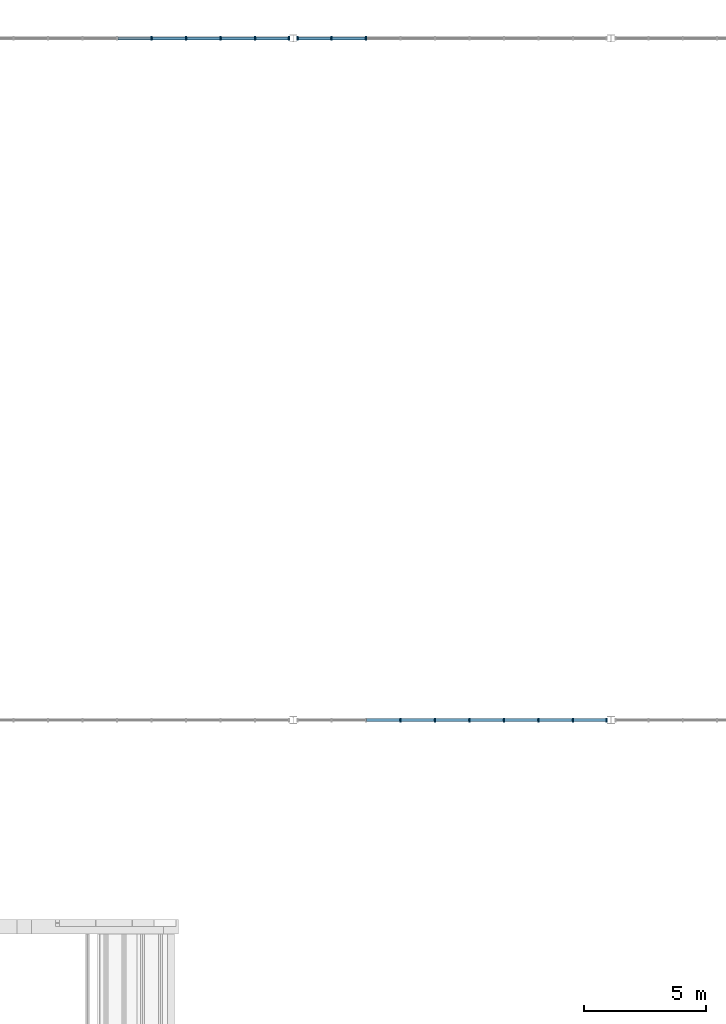
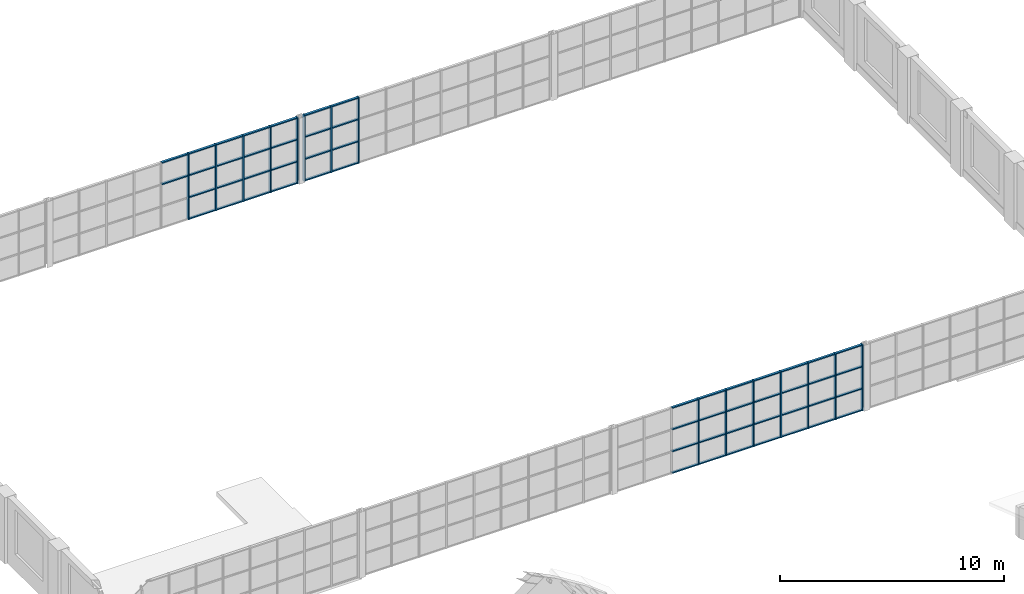
# One storey, part 10 of 70: 69 members, 3 elements without a shape of their own.
"""IFC4 building model written with IfcOpenShell, lengths in metres."""

from ifc_helpers import new_model, si_unit, direction, frame, origin, origin_2d, place, context, subcontext, project, spatial, rectangle, extrude, material, material_profile, profile_set, type_object, element, aggregate, save


model = new_model("IFC4")

# Units and contexts
model_context = context("Model", 3, precision=1e-05, world=origin(), true_north=direction((0.0, 1.0)))
body_context = subcontext(model_context, "Body", "Model", "MODEL_VIEW")
ifc_project = project(units=[si_unit("LENGTHUNIT", "METRE"), si_unit("AREAUNIT", "SQUARE_METRE"), si_unit("VOLUMEUNIT", "CUBIC_METRE"), si_unit("PLANEANGLEUNIT", "RADIAN"), si_unit("MASSUNIT", "GRAM", prefix="KILO")], contexts=[model_context])

# Site, building, storey
site_placement = place(None, origin())
site = spatial("IfcSite", under=ifc_project, at=site_placement, CompositionType="ELEMENT")
building_placement = place(site_placement, origin())
building = spatial("IfcBuilding", under=site, at=building_placement, Name="Elbe Cascade School", CompositionType="ELEMENT")
storey_placement = place(building_placement, frame((0.0, 0.0, 8.10009765625)))
storey = spatial("IfcBuildingStorey", under=building, at=storey_placement, Name="L02", CompositionType="ELEMENT", Elevation=8.10009765625)

# Curtain wall, members
ifc_material_1 = material(Name="Glass - double glazed low-E", Category="glass")
curtain_wall_type = type_object("IfcCurtainWallType", Name="Hall gable curtain wall", PredefinedType="NOTDEFINED", material=ifc_material_1)
curtain_wall_1_placement = place(storey_placement, origin())
curtain_wall_1 = element("IfcCurtainWall", 1, at=curtain_wall_1_placement, inside=storey, type_object=curtain_wall_type, Name="Gable curtain wall S3", PredefinedType="NOTDEFINED")
ifc_material_2 = material(Name="Aluminium - bronze anodised", Category="aluminium")
ifc_material_profile_1 = material_profile(ifc_material_2, rectangle(XDim=0.159912109375, YDim=0.06005859375, at=origin_2d()), Name="Alu 60x160")
ifc_profile_set_1 = profile_set([ifc_material_profile_1], Name="Aluminium - bronze anodised")
member_type_1 = type_object("IfcMemberType", Name="Hall gable mullion 60x160", PredefinedType="MULLION", material=ifc_profile_set_1)
member_1_placement = place(storey_placement, frame((38.38330078125, 41.300048828125, 0.0), z_axis=(0.0, 0.0, 1.0), x_axis=(0.0, 1.0, 0.0)))
member_1 = element("IfcMember", 2, at=member_1_placement, type_object=member_type_1, Name="CW6 mullion 4", PredefinedType="MULLION", context=body_context, shape_type="SweptSolid", body=[
    extrude(rectangle(XDim=0.159912109375, YDim=0.06005859375, at=origin_2d()), origin(), (0.0, 0.0, 1.0), 3.599853515625),
])
member_2_placement = place(storey_placement, frame((39.79443359375, 41.300048828125, 0.0), z_axis=(0.0, 0.0, 1.0), x_axis=(0.0, 1.0, 0.0)))
member_2 = element("IfcMember", 3, at=member_2_placement, type_object=member_type_1, Name="CW6 mullion 5", PredefinedType="MULLION", context=body_context, shape_type="SweptSolid", body=[
    extrude(rectangle(XDim=0.159912109375, YDim=0.06005859375, at=origin_2d()), origin(), (0.0, 0.0, 1.0), 3.599853515625),
])
member_3_placement = place(storey_placement, frame((41.20556640625, 41.300048828125, 0.0), z_axis=(0.0, 0.0, 1.0), x_axis=(0.0, 1.0, 0.0)))
member_3 = element("IfcMember", 4, at=member_3_placement, type_object=member_type_1, Name="CW6 mullion 6", PredefinedType="MULLION", context=body_context, shape_type="SweptSolid", body=[
    extrude(rectangle(XDim=0.159912109375, YDim=0.06005859375, at=origin_2d()), origin(), (0.0, 0.0, 1.0), 3.599853515625),
])
member_4_placement = place(storey_placement, frame((42.61669921875, 41.300048828125, 0.0), z_axis=(0.0, 0.0, 1.0), x_axis=(0.0, 1.0, 0.0)))
member_4 = element("IfcMember", 5, at=member_4_placement, type_object=member_type_1, Name="CW6 mullion 7", PredefinedType="MULLION", context=body_context, shape_type="SweptSolid", body=[
    extrude(rectangle(XDim=0.159912109375, YDim=0.06005859375, at=origin_2d()), origin(), (0.0, 0.0, 1.0), 3.599853515625),
])
member_5_placement = place(storey_placement, frame((44.02783203125, 41.300048828125, 0.0), z_axis=(0.0, 0.0, 1.0), x_axis=(0.0, 1.0, 0.0)))
member_5 = element("IfcMember", 6, at=member_5_placement, type_object=member_type_1, Name="CW6 mullion 8", PredefinedType="MULLION", context=body_context, shape_type="SweptSolid", body=[
    extrude(rectangle(XDim=0.159912109375, YDim=0.06005859375, at=origin_2d()), origin(), (0.0, 0.0, 1.0), 3.599853515625),
])
member_6_placement = place(storey_placement, frame((45.43896484375, 41.300048828125, 0.0), z_axis=(0.0, 0.0, 1.0), x_axis=(0.0, 1.0, 0.0)))
member_6 = element("IfcMember", 7, at=member_6_placement, type_object=member_type_1, Name="CW6 mullion 9", PredefinedType="MULLION", context=body_context, shape_type="SweptSolid", body=[
    extrude(rectangle(XDim=0.159912109375, YDim=0.06005859375, at=origin_2d()), origin(), (0.0, 0.0, 1.0), 3.599853515625),
])
member_7_placement = place(storey_placement, frame((46.820068359375, 41.300048828125, 0.0), z_axis=(0.0, 0.0, 1.0), x_axis=(0.0, 1.0, 0.0)))
member_7 = element("IfcMember", 8, at=member_7_placement, type_object=member_type_1, Name="CW6 mullion 10", PredefinedType="MULLION", context=body_context, shape_type="SweptSolid", body=[
    extrude(rectangle(XDim=0.159912109375, YDim=0.06005859375, at=origin_2d()), origin(), (0.0, 0.0, 1.0), 3.599853515625),
])

curtain_wall_2_placement = place(storey_placement, origin())
curtain_wall_2 = element("IfcCurtainWall", 9, at=curtain_wall_2_placement, inside=storey, type_object=curtain_wall_type, Name="Gable curtain wall N2", PredefinedType="NOTDEFINED")
member_8_placement = place(storey_placement, frame((28.20556640625, 69.199951171875, 0.0), z_axis=(0.0, 0.0, 1.0), x_axis=(0.0, 1.0, 0.0)))
member_8 = element("IfcMember", 10, at=member_8_placement, type_object=member_type_1, Name="CW6 mullion 6", PredefinedType="MULLION", context=body_context, shape_type="SweptSolid", body=[
    extrude(rectangle(XDim=0.159912109375, YDim=0.06005859375, at=origin_2d()), origin(), (0.0, 0.0, 1.0), 3.599853515625),
])
member_9_placement = place(storey_placement, frame((29.61669921875, 69.199951171875, 0.0), z_axis=(0.0, 0.0, 1.0), x_axis=(0.0, 1.0, 0.0)))
member_9 = element("IfcMember", 11, at=member_9_placement, type_object=member_type_1, Name="CW6 mullion 7", PredefinedType="MULLION", context=body_context, shape_type="SweptSolid", body=[
    extrude(rectangle(XDim=0.159912109375, YDim=0.06005859375, at=origin_2d()), origin(), (0.0, 0.0, 1.0), 3.599853515625),
])
member_10_placement = place(storey_placement, frame((31.02783203125, 69.199951171875, 0.0), z_axis=(0.0, 0.0, 1.0), x_axis=(0.0, 1.0, 0.0)))
member_10 = element("IfcMember", 12, at=member_10_placement, type_object=member_type_1, Name="CW6 mullion 8", PredefinedType="MULLION", context=body_context, shape_type="SweptSolid", body=[
    extrude(rectangle(XDim=0.159912109375, YDim=0.06005859375, at=origin_2d()), origin(), (0.0, 0.0, 1.0), 3.599853515625),
])
member_11_placement = place(storey_placement, frame((32.43896484375, 69.199951171875, 0.0), z_axis=(0.0, 0.0, 1.0), x_axis=(0.0, 1.0, 0.0)))
member_11 = element("IfcMember", 13, at=member_11_placement, type_object=member_type_1, Name="CW6 mullion 9", PredefinedType="MULLION", context=body_context, shape_type="SweptSolid", body=[
    extrude(rectangle(XDim=0.159912109375, YDim=0.06005859375, at=origin_2d()), origin(), (0.0, 0.0, 1.0), 3.599853515625),
])
member_12_placement = place(storey_placement, frame((33.820068359375, 69.199951171875, 0.0), z_axis=(0.0, 0.0, 1.0), x_axis=(0.0, 1.0, 0.0)))
member_12 = element("IfcMember", 14, at=member_12_placement, type_object=member_type_1, Name="CW6 mullion 10", PredefinedType="MULLION", context=body_context, shape_type="SweptSolid", body=[
    extrude(rectangle(XDim=0.159912109375, YDim=0.06005859375, at=origin_2d()), origin(), (0.0, 0.0, 1.0), 3.599853515625),
])

curtain_wall_3_placement = place(storey_placement, origin())
curtain_wall_3 = element("IfcCurtainWall", 15, at=curtain_wall_3_placement, inside=storey, type_object=curtain_wall_type, Name="Gable curtain wall N3", PredefinedType="NOTDEFINED")
member_13_placement = place(storey_placement, frame((34.179931640625, 69.199951171875, 0.0), z_axis=(0.0, 0.0, 1.0), x_axis=(0.0, 1.0, 0.0)))
member_13 = element("IfcMember", 16, at=member_13_placement, type_object=member_type_1, Name="CW6 mullion 1", PredefinedType="MULLION", context=body_context, shape_type="SweptSolid", body=[
    extrude(rectangle(XDim=0.159912109375, YDim=0.06005859375, at=origin_2d()), origin(), (0.0, 0.0, 1.0), 3.599853515625),
])
member_14_placement = place(storey_placement, frame((35.56103515625, 69.199951171875, 0.0), z_axis=(0.0, 0.0, 1.0), x_axis=(0.0, 1.0, 0.0)))
member_14 = element("IfcMember", 17, at=member_14_placement, type_object=member_type_1, Name="CW6 mullion 2", PredefinedType="MULLION", context=body_context, shape_type="SweptSolid", body=[
    extrude(rectangle(XDim=0.159912109375, YDim=0.06005859375, at=origin_2d()), origin(), (0.0, 0.0, 1.0), 3.599853515625),
])
member_15_placement = place(storey_placement, frame((36.97216796875, 69.199951171875, 0.0), z_axis=(0.0, 0.0, 1.0), x_axis=(0.0, 1.0, 0.0)))
member_15 = element("IfcMember", 18, at=member_15_placement, type_object=member_type_1, Name="CW6 mullion 3", PredefinedType="MULLION", context=body_context, shape_type="SweptSolid", body=[
    extrude(rectangle(XDim=0.159912109375, YDim=0.06005859375, at=origin_2d()), origin(), (0.0, 0.0, 1.0), 3.599853515625),
])

# Member
ifc_material_3 = material(Name="Aluminium - bronze anodised", Category="aluminium")
ifc_material_profile_2 = material_profile(ifc_material_3, rectangle(XDim=0.1201171875, YDim=0.06005859375, at=origin_2d()), Name="Alu 60x120")
ifc_profile_set_2 = profile_set([ifc_material_profile_2], Name="Aluminium - bronze anodised")
member_type_2 = type_object("IfcMemberType", Name="Hall gable transom 60x120", PredefinedType="USERDEFINED", material=ifc_profile_set_2)
member_16_placement = place(storey_placement, frame((37.002197265625, 41.300048828125, 0.02978515625), z_axis=(1.0, 0.0, 0.0), x_axis=(0.0, 1.0, 0.0)))
member_16 = element("IfcMember", 19, at=member_16_placement, type_object=member_type_2, Name="CW6 transom 3.1", ObjectType="TRANSOM", PredefinedType="USERDEFINED", context=body_context, shape_type="SweptSolid", body=[
    extrude(rectangle(XDim=0.1201171875, YDim=0.06005859375, at=origin_2d()), origin(), (0.0, 0.0, 1.0), 1.35107421875),
])

member_17_placement = place(storey_placement, frame((37.002197265625, 41.300048828125, 1.199951171875), z_axis=(1.0, 0.0, 0.0), x_axis=(0.0, 1.0, 0.0)))
member_17 = element("IfcMember", 20, at=member_17_placement, type_object=member_type_2, Name="CW6 transom 3.2", ObjectType="TRANSOM", PredefinedType="USERDEFINED", context=body_context, shape_type="SweptSolid", body=[
    extrude(rectangle(XDim=0.1201171875, YDim=0.06005859375, at=origin_2d()), origin(), (0.0, 0.0, 1.0), 1.35107421875),
])

member_18_placement = place(storey_placement, frame((37.002197265625, 41.300048828125, 2.39990234375), z_axis=(1.0, 0.0, 0.0), x_axis=(0.0, 1.0, 0.0)))
member_18 = element("IfcMember", 21, at=member_18_placement, type_object=member_type_2, Name="CW6 transom 3.3", ObjectType="TRANSOM", PredefinedType="USERDEFINED", context=body_context, shape_type="SweptSolid", body=[
    extrude(rectangle(XDim=0.1201171875, YDim=0.06005859375, at=origin_2d()), origin(), (0.0, 0.0, 1.0), 1.35107421875),
])

member_19_placement = place(storey_placement, frame((37.002197265625, 41.300048828125, 3.56982421875), z_axis=(1.0, 0.0, 0.0), x_axis=(0.0, 1.0, 0.0)))
member_19 = element("IfcMember", 22, at=member_19_placement, type_object=member_type_2, Name="CW6 transom 3.4", ObjectType="TRANSOM", PredefinedType="USERDEFINED", context=body_context, shape_type="SweptSolid", body=[
    extrude(rectangle(XDim=0.1201171875, YDim=0.06005859375, at=origin_2d()), origin(), (0.0, 0.0, 1.0), 1.35107421875),
])

member_20_placement = place(storey_placement, frame((38.413330078125, 41.300048828125, 0.02978515625), z_axis=(1.0, 0.0, 0.0), x_axis=(0.0, 1.0, 0.0)))
member_20 = element("IfcMember", 23, at=member_20_placement, type_object=member_type_2, Name="CW6 transom 4.1", ObjectType="TRANSOM", PredefinedType="USERDEFINED", context=body_context, shape_type="SweptSolid", body=[
    extrude(rectangle(XDim=0.1201171875, YDim=0.06005859375, at=origin_2d()), origin(), (0.0, 0.0, 1.0), 1.35107421875),
])

member_21_placement = place(storey_placement, frame((38.413330078125, 41.300048828125, 1.199951171875), z_axis=(1.0, 0.0, 0.0), x_axis=(0.0, 1.0, 0.0)))
member_21 = element("IfcMember", 24, at=member_21_placement, type_object=member_type_2, Name="CW6 transom 4.2", ObjectType="TRANSOM", PredefinedType="USERDEFINED", context=body_context, shape_type="SweptSolid", body=[
    extrude(rectangle(XDim=0.1201171875, YDim=0.06005859375, at=origin_2d()), origin(), (0.0, 0.0, 1.0), 1.35107421875),
])

member_22_placement = place(storey_placement, frame((38.413330078125, 41.300048828125, 2.39990234375), z_axis=(1.0, 0.0, 0.0), x_axis=(0.0, 1.0, 0.0)))
member_22 = element("IfcMember", 25, at=member_22_placement, type_object=member_type_2, Name="CW6 transom 4.3", ObjectType="TRANSOM", PredefinedType="USERDEFINED", context=body_context, shape_type="SweptSolid", body=[
    extrude(rectangle(XDim=0.1201171875, YDim=0.06005859375, at=origin_2d()), origin(), (0.0, 0.0, 1.0), 1.35107421875),
])

member_23_placement = place(storey_placement, frame((38.413330078125, 41.300048828125, 3.56982421875), z_axis=(1.0, 0.0, 0.0), x_axis=(0.0, 1.0, 0.0)))
member_23 = element("IfcMember", 26, at=member_23_placement, type_object=member_type_2, Name="CW6 transom 4.4", ObjectType="TRANSOM", PredefinedType="USERDEFINED", context=body_context, shape_type="SweptSolid", body=[
    extrude(rectangle(XDim=0.1201171875, YDim=0.06005859375, at=origin_2d()), origin(), (0.0, 0.0, 1.0), 1.35107421875),
])

member_24_placement = place(storey_placement, frame((39.824462890625, 41.300048828125, 0.02978515625), z_axis=(1.0, 0.0, 0.0), x_axis=(0.0, 1.0, 0.0)))
member_24 = element("IfcMember", 27, at=member_24_placement, type_object=member_type_2, Name="CW6 transom 5.1", ObjectType="TRANSOM", PredefinedType="USERDEFINED", context=body_context, shape_type="SweptSolid", body=[
    extrude(rectangle(XDim=0.1201171875, YDim=0.06005859375, at=origin_2d()), origin(), (0.0, 0.0, 1.0), 1.35107421875),
])

member_25_placement = place(storey_placement, frame((39.824462890625, 41.300048828125, 1.199951171875), z_axis=(1.0, 0.0, 0.0), x_axis=(0.0, 1.0, 0.0)))
member_25 = element("IfcMember", 28, at=member_25_placement, type_object=member_type_2, Name="CW6 transom 5.2", ObjectType="TRANSOM", PredefinedType="USERDEFINED", context=body_context, shape_type="SweptSolid", body=[
    extrude(rectangle(XDim=0.1201171875, YDim=0.06005859375, at=origin_2d()), origin(), (0.0, 0.0, 1.0), 1.35107421875),
])

member_26_placement = place(storey_placement, frame((39.824462890625, 41.300048828125, 2.39990234375), z_axis=(1.0, 0.0, 0.0), x_axis=(0.0, 1.0, 0.0)))
member_26 = element("IfcMember", 29, at=member_26_placement, type_object=member_type_2, Name="CW6 transom 5.3", ObjectType="TRANSOM", PredefinedType="USERDEFINED", context=body_context, shape_type="SweptSolid", body=[
    extrude(rectangle(XDim=0.1201171875, YDim=0.06005859375, at=origin_2d()), origin(), (0.0, 0.0, 1.0), 1.35107421875),
])

member_27_placement = place(storey_placement, frame((39.824462890625, 41.300048828125, 3.56982421875), z_axis=(1.0, 0.0, 0.0), x_axis=(0.0, 1.0, 0.0)))
member_27 = element("IfcMember", 30, at=member_27_placement, type_object=member_type_2, Name="CW6 transom 5.4", ObjectType="TRANSOM", PredefinedType="USERDEFINED", context=body_context, shape_type="SweptSolid", body=[
    extrude(rectangle(XDim=0.1201171875, YDim=0.06005859375, at=origin_2d()), origin(), (0.0, 0.0, 1.0), 1.35107421875),
])

member_28_placement = place(storey_placement, frame((41.235595703125, 41.300048828125, 0.02978515625), z_axis=(1.0, 0.0, 0.0), x_axis=(0.0, 1.0, 0.0)))
member_28 = element("IfcMember", 31, at=member_28_placement, type_object=member_type_2, Name="CW6 transom 6.1", ObjectType="TRANSOM", PredefinedType="USERDEFINED", context=body_context, shape_type="SweptSolid", body=[
    extrude(rectangle(XDim=0.1201171875, YDim=0.06005859375, at=origin_2d()), origin(), (0.0, 0.0, 1.0), 1.35107421875),
])

member_29_placement = place(storey_placement, frame((41.235595703125, 41.300048828125, 1.199951171875), z_axis=(1.0, 0.0, 0.0), x_axis=(0.0, 1.0, 0.0)))
member_29 = element("IfcMember", 32, at=member_29_placement, type_object=member_type_2, Name="CW6 transom 6.2", ObjectType="TRANSOM", PredefinedType="USERDEFINED", context=body_context, shape_type="SweptSolid", body=[
    extrude(rectangle(XDim=0.1201171875, YDim=0.06005859375, at=origin_2d()), origin(), (0.0, 0.0, 1.0), 1.35107421875),
])

member_30_placement = place(storey_placement, frame((41.235595703125, 41.300048828125, 2.39990234375), z_axis=(1.0, 0.0, 0.0), x_axis=(0.0, 1.0, 0.0)))
member_30 = element("IfcMember", 33, at=member_30_placement, type_object=member_type_2, Name="CW6 transom 6.3", ObjectType="TRANSOM", PredefinedType="USERDEFINED", context=body_context, shape_type="SweptSolid", body=[
    extrude(rectangle(XDim=0.1201171875, YDim=0.06005859375, at=origin_2d()), origin(), (0.0, 0.0, 1.0), 1.35107421875),
])

member_31_placement = place(storey_placement, frame((41.235595703125, 41.300048828125, 3.56982421875), z_axis=(1.0, 0.0, 0.0), x_axis=(0.0, 1.0, 0.0)))
member_31 = element("IfcMember", 34, at=member_31_placement, type_object=member_type_2, Name="CW6 transom 6.4", ObjectType="TRANSOM", PredefinedType="USERDEFINED", context=body_context, shape_type="SweptSolid", body=[
    extrude(rectangle(XDim=0.1201171875, YDim=0.06005859375, at=origin_2d()), origin(), (0.0, 0.0, 1.0), 1.35107421875),
])

member_32_placement = place(storey_placement, frame((42.646728515625, 41.300048828125, 0.02978515625), z_axis=(1.0, 0.0, 0.0), x_axis=(0.0, 1.0, 0.0)))
member_32 = element("IfcMember", 35, at=member_32_placement, type_object=member_type_2, Name="CW6 transom 7.1", ObjectType="TRANSOM", PredefinedType="USERDEFINED", context=body_context, shape_type="SweptSolid", body=[
    extrude(rectangle(XDim=0.1201171875, YDim=0.06005859375, at=origin_2d()), origin(), (0.0, 0.0, 1.0), 1.35107421875),
])

member_33_placement = place(storey_placement, frame((42.646728515625, 41.300048828125, 1.199951171875), z_axis=(1.0, 0.0, 0.0), x_axis=(0.0, 1.0, 0.0)))
member_33 = element("IfcMember", 36, at=member_33_placement, type_object=member_type_2, Name="CW6 transom 7.2", ObjectType="TRANSOM", PredefinedType="USERDEFINED", context=body_context, shape_type="SweptSolid", body=[
    extrude(rectangle(XDim=0.1201171875, YDim=0.06005859375, at=origin_2d()), origin(), (0.0, 0.0, 1.0), 1.35107421875),
])

member_34_placement = place(storey_placement, frame((42.646728515625, 41.300048828125, 2.39990234375), z_axis=(1.0, 0.0, 0.0), x_axis=(0.0, 1.0, 0.0)))
member_34 = element("IfcMember", 37, at=member_34_placement, type_object=member_type_2, Name="CW6 transom 7.3", ObjectType="TRANSOM", PredefinedType="USERDEFINED", context=body_context, shape_type="SweptSolid", body=[
    extrude(rectangle(XDim=0.1201171875, YDim=0.06005859375, at=origin_2d()), origin(), (0.0, 0.0, 1.0), 1.35107421875),
])

member_35_placement = place(storey_placement, frame((42.646728515625, 41.300048828125, 3.56982421875), z_axis=(1.0, 0.0, 0.0), x_axis=(0.0, 1.0, 0.0)))
member_35 = element("IfcMember", 38, at=member_35_placement, type_object=member_type_2, Name="CW6 transom 7.4", ObjectType="TRANSOM", PredefinedType="USERDEFINED", context=body_context, shape_type="SweptSolid", body=[
    extrude(rectangle(XDim=0.1201171875, YDim=0.06005859375, at=origin_2d()), origin(), (0.0, 0.0, 1.0), 1.35107421875),
])

member_36_placement = place(storey_placement, frame((44.057861328125, 41.300048828125, 0.02978515625), z_axis=(1.0, 0.0, 0.0), x_axis=(0.0, 1.0, 0.0)))
member_36 = element("IfcMember", 39, at=member_36_placement, type_object=member_type_2, Name="CW6 transom 8.1", ObjectType="TRANSOM", PredefinedType="USERDEFINED", context=body_context, shape_type="SweptSolid", body=[
    extrude(rectangle(XDim=0.1201171875, YDim=0.06005859375, at=origin_2d()), origin(), (0.0, 0.0, 1.0), 1.35107421875),
])

member_37_placement = place(storey_placement, frame((44.057861328125, 41.300048828125, 1.199951171875), z_axis=(1.0, 0.0, 0.0), x_axis=(0.0, 1.0, 0.0)))
member_37 = element("IfcMember", 40, at=member_37_placement, type_object=member_type_2, Name="CW6 transom 8.2", ObjectType="TRANSOM", PredefinedType="USERDEFINED", context=body_context, shape_type="SweptSolid", body=[
    extrude(rectangle(XDim=0.1201171875, YDim=0.06005859375, at=origin_2d()), origin(), (0.0, 0.0, 1.0), 1.35107421875),
])

member_38_placement = place(storey_placement, frame((44.057861328125, 41.300048828125, 2.39990234375), z_axis=(1.0, 0.0, 0.0), x_axis=(0.0, 1.0, 0.0)))
member_38 = element("IfcMember", 41, at=member_38_placement, type_object=member_type_2, Name="CW6 transom 8.3", ObjectType="TRANSOM", PredefinedType="USERDEFINED", context=body_context, shape_type="SweptSolid", body=[
    extrude(rectangle(XDim=0.1201171875, YDim=0.06005859375, at=origin_2d()), origin(), (0.0, 0.0, 1.0), 1.35107421875),
])

member_39_placement = place(storey_placement, frame((44.057861328125, 41.300048828125, 3.56982421875), z_axis=(1.0, 0.0, 0.0), x_axis=(0.0, 1.0, 0.0)))
member_39 = element("IfcMember", 42, at=member_39_placement, type_object=member_type_2, Name="CW6 transom 8.4", ObjectType="TRANSOM", PredefinedType="USERDEFINED", context=body_context, shape_type="SweptSolid", body=[
    extrude(rectangle(XDim=0.1201171875, YDim=0.06005859375, at=origin_2d()), origin(), (0.0, 0.0, 1.0), 1.35107421875),
])

member_40_placement = place(storey_placement, frame((45.468994140625, 41.300048828125, 0.02978515625), z_axis=(1.0, 0.0, 0.0), x_axis=(0.0, 1.0, 0.0)))
member_40 = element("IfcMember", 43, at=member_40_placement, type_object=member_type_2, Name="CW6 transom 9.1", ObjectType="TRANSOM", PredefinedType="USERDEFINED", context=body_context, shape_type="SweptSolid", body=[
    extrude(rectangle(XDim=0.1201171875, YDim=0.06005859375, at=origin_2d()), origin(), (0.0, 0.0, 1.0), 1.321044921875),
])

member_41_placement = place(storey_placement, frame((45.468994140625, 41.300048828125, 1.199951171875), z_axis=(1.0, 0.0, 0.0), x_axis=(0.0, 1.0, 0.0)))
member_41 = element("IfcMember", 44, at=member_41_placement, type_object=member_type_2, Name="CW6 transom 9.2", ObjectType="TRANSOM", PredefinedType="USERDEFINED", context=body_context, shape_type="SweptSolid", body=[
    extrude(rectangle(XDim=0.1201171875, YDim=0.06005859375, at=origin_2d()), origin(), (0.0, 0.0, 1.0), 1.321044921875),
])

member_42_placement = place(storey_placement, frame((45.468994140625, 41.300048828125, 2.39990234375), z_axis=(1.0, 0.0, 0.0), x_axis=(0.0, 1.0, 0.0)))
member_42 = element("IfcMember", 45, at=member_42_placement, type_object=member_type_2, Name="CW6 transom 9.3", ObjectType="TRANSOM", PredefinedType="USERDEFINED", context=body_context, shape_type="SweptSolid", body=[
    extrude(rectangle(XDim=0.1201171875, YDim=0.06005859375, at=origin_2d()), origin(), (0.0, 0.0, 1.0), 1.321044921875),
])

member_43_placement = place(storey_placement, frame((45.468994140625, 41.300048828125, 3.56982421875), z_axis=(1.0, 0.0, 0.0), x_axis=(0.0, 1.0, 0.0)))
member_43 = element("IfcMember", 46, at=member_43_placement, type_object=member_type_2, Name="CW6 transom 9.4", ObjectType="TRANSOM", PredefinedType="USERDEFINED", context=body_context, shape_type="SweptSolid", body=[
    extrude(rectangle(XDim=0.1201171875, YDim=0.06005859375, at=origin_2d()), origin(), (0.0, 0.0, 1.0), 1.321044921875),
])

aggregate(curtain_wall_1, [member_1, member_2, member_3, member_4, member_5, member_6, member_7, member_16, member_17, member_18, member_19, member_20, member_21, member_22, member_23, member_24, member_25, member_26, member_27, member_28, member_29, member_30, member_31, member_32, member_33, member_34, member_35, member_36, member_37, member_38, member_39, member_40, member_41, member_42, member_43])

member_44_placement = place(storey_placement, frame((26.824462890625, 69.199951171875, 2.39990234375), z_axis=(1.0, 0.0, 0.0), x_axis=(0.0, 1.0, 0.0)))
member_44 = element("IfcMember", 47, at=member_44_placement, type_object=member_type_2, Name="CW6 transom 5.3", ObjectType="TRANSOM", PredefinedType="USERDEFINED", context=body_context, shape_type="SweptSolid", body=[
    extrude(rectangle(XDim=0.1201171875, YDim=0.06005859375, at=origin_2d()), origin(), (0.0, 0.0, 1.0), 1.35107421875),
])

member_45_placement = place(storey_placement, frame((26.824462890625, 69.199951171875, 3.56982421875), z_axis=(1.0, 0.0, 0.0), x_axis=(0.0, 1.0, 0.0)))
member_45 = element("IfcMember", 48, at=member_45_placement, type_object=member_type_2, Name="CW6 transom 5.4", ObjectType="TRANSOM", PredefinedType="USERDEFINED", context=body_context, shape_type="SweptSolid", body=[
    extrude(rectangle(XDim=0.1201171875, YDim=0.06005859375, at=origin_2d()), origin(), (0.0, 0.0, 1.0), 1.35107421875),
])

member_46_placement = place(storey_placement, frame((28.235595703125, 69.199951171875, 0.02978515625), z_axis=(1.0, 0.0, 0.0), x_axis=(0.0, 1.0, 0.0)))
member_46 = element("IfcMember", 49, at=member_46_placement, type_object=member_type_2, Name="CW6 transom 6.1", ObjectType="TRANSOM", PredefinedType="USERDEFINED", context=body_context, shape_type="SweptSolid", body=[
    extrude(rectangle(XDim=0.1201171875, YDim=0.06005859375, at=origin_2d()), origin(), (0.0, 0.0, 1.0), 1.35107421875),
])

member_47_placement = place(storey_placement, frame((28.235595703125, 69.199951171875, 1.199951171875), z_axis=(1.0, 0.0, 0.0), x_axis=(0.0, 1.0, 0.0)))
member_47 = element("IfcMember", 50, at=member_47_placement, type_object=member_type_2, Name="CW6 transom 6.2", ObjectType="TRANSOM", PredefinedType="USERDEFINED", context=body_context, shape_type="SweptSolid", body=[
    extrude(rectangle(XDim=0.1201171875, YDim=0.06005859375, at=origin_2d()), origin(), (0.0, 0.0, 1.0), 1.35107421875),
])

member_48_placement = place(storey_placement, frame((28.235595703125, 69.199951171875, 2.39990234375), z_axis=(1.0, 0.0, 0.0), x_axis=(0.0, 1.0, 0.0)))
member_48 = element("IfcMember", 51, at=member_48_placement, type_object=member_type_2, Name="CW6 transom 6.3", ObjectType="TRANSOM", PredefinedType="USERDEFINED", context=body_context, shape_type="SweptSolid", body=[
    extrude(rectangle(XDim=0.1201171875, YDim=0.06005859375, at=origin_2d()), origin(), (0.0, 0.0, 1.0), 1.35107421875),
])

member_49_placement = place(storey_placement, frame((28.235595703125, 69.199951171875, 3.56982421875), z_axis=(1.0, 0.0, 0.0), x_axis=(0.0, 1.0, 0.0)))
member_49 = element("IfcMember", 52, at=member_49_placement, type_object=member_type_2, Name="CW6 transom 6.4", ObjectType="TRANSOM", PredefinedType="USERDEFINED", context=body_context, shape_type="SweptSolid", body=[
    extrude(rectangle(XDim=0.1201171875, YDim=0.06005859375, at=origin_2d()), origin(), (0.0, 0.0, 1.0), 1.35107421875),
])

member_50_placement = place(storey_placement, frame((29.646728515625, 69.199951171875, 0.02978515625), z_axis=(1.0, 0.0, 0.0), x_axis=(0.0, 1.0, 0.0)))
member_50 = element("IfcMember", 53, at=member_50_placement, type_object=member_type_2, Name="CW6 transom 7.1", ObjectType="TRANSOM", PredefinedType="USERDEFINED", context=body_context, shape_type="SweptSolid", body=[
    extrude(rectangle(XDim=0.1201171875, YDim=0.06005859375, at=origin_2d()), origin(), (0.0, 0.0, 1.0), 1.35107421875),
])

member_51_placement = place(storey_placement, frame((29.646728515625, 69.199951171875, 1.199951171875), z_axis=(1.0, 0.0, 0.0), x_axis=(0.0, 1.0, 0.0)))
member_51 = element("IfcMember", 54, at=member_51_placement, type_object=member_type_2, Name="CW6 transom 7.2", ObjectType="TRANSOM", PredefinedType="USERDEFINED", context=body_context, shape_type="SweptSolid", body=[
    extrude(rectangle(XDim=0.1201171875, YDim=0.06005859375, at=origin_2d()), origin(), (0.0, 0.0, 1.0), 1.35107421875),
])

member_52_placement = place(storey_placement, frame((29.646728515625, 69.199951171875, 2.39990234375), z_axis=(1.0, 0.0, 0.0), x_axis=(0.0, 1.0, 0.0)))
member_52 = element("IfcMember", 55, at=member_52_placement, type_object=member_type_2, Name="CW6 transom 7.3", ObjectType="TRANSOM", PredefinedType="USERDEFINED", context=body_context, shape_type="SweptSolid", body=[
    extrude(rectangle(XDim=0.1201171875, YDim=0.06005859375, at=origin_2d()), origin(), (0.0, 0.0, 1.0), 1.35107421875),
])

member_53_placement = place(storey_placement, frame((29.646728515625, 69.199951171875, 3.56982421875), z_axis=(1.0, 0.0, 0.0), x_axis=(0.0, 1.0, 0.0)))
member_53 = element("IfcMember", 56, at=member_53_placement, type_object=member_type_2, Name="CW6 transom 7.4", ObjectType="TRANSOM", PredefinedType="USERDEFINED", context=body_context, shape_type="SweptSolid", body=[
    extrude(rectangle(XDim=0.1201171875, YDim=0.06005859375, at=origin_2d()), origin(), (0.0, 0.0, 1.0), 1.35107421875),
])

member_54_placement = place(storey_placement, frame((31.057861328125, 69.199951171875, 0.02978515625), z_axis=(1.0, 0.0, 0.0), x_axis=(0.0, 1.0, 0.0)))
member_54 = element("IfcMember", 57, at=member_54_placement, type_object=member_type_2, Name="CW6 transom 8.1", ObjectType="TRANSOM", PredefinedType="USERDEFINED", context=body_context, shape_type="SweptSolid", body=[
    extrude(rectangle(XDim=0.1201171875, YDim=0.06005859375, at=origin_2d()), origin(), (0.0, 0.0, 1.0), 1.35107421875),
])

member_55_placement = place(storey_placement, frame((31.057861328125, 69.199951171875, 1.199951171875), z_axis=(1.0, 0.0, 0.0), x_axis=(0.0, 1.0, 0.0)))
member_55 = element("IfcMember", 58, at=member_55_placement, type_object=member_type_2, Name="CW6 transom 8.2", ObjectType="TRANSOM", PredefinedType="USERDEFINED", context=body_context, shape_type="SweptSolid", body=[
    extrude(rectangle(XDim=0.1201171875, YDim=0.06005859375, at=origin_2d()), origin(), (0.0, 0.0, 1.0), 1.35107421875),
])

member_56_placement = place(storey_placement, frame((31.057861328125, 69.199951171875, 2.39990234375), z_axis=(1.0, 0.0, 0.0), x_axis=(0.0, 1.0, 0.0)))
member_56 = element("IfcMember", 59, at=member_56_placement, type_object=member_type_2, Name="CW6 transom 8.3", ObjectType="TRANSOM", PredefinedType="USERDEFINED", context=body_context, shape_type="SweptSolid", body=[
    extrude(rectangle(XDim=0.1201171875, YDim=0.06005859375, at=origin_2d()), origin(), (0.0, 0.0, 1.0), 1.35107421875),
])

member_57_placement = place(storey_placement, frame((31.057861328125, 69.199951171875, 3.56982421875), z_axis=(1.0, 0.0, 0.0), x_axis=(0.0, 1.0, 0.0)))
member_57 = element("IfcMember", 60, at=member_57_placement, type_object=member_type_2, Name="CW6 transom 8.4", ObjectType="TRANSOM", PredefinedType="USERDEFINED", context=body_context, shape_type="SweptSolid", body=[
    extrude(rectangle(XDim=0.1201171875, YDim=0.06005859375, at=origin_2d()), origin(), (0.0, 0.0, 1.0), 1.35107421875),
])

member_58_placement = place(storey_placement, frame((32.468994140625, 69.199951171875, 0.02978515625), z_axis=(1.0, 0.0, 0.0), x_axis=(0.0, 1.0, 0.0)))
member_58 = element("IfcMember", 61, at=member_58_placement, type_object=member_type_2, Name="CW6 transom 9.1", ObjectType="TRANSOM", PredefinedType="USERDEFINED", context=body_context, shape_type="SweptSolid", body=[
    extrude(rectangle(XDim=0.1201171875, YDim=0.06005859375, at=origin_2d()), origin(), (0.0, 0.0, 1.0), 1.321044921875),
])

member_59_placement = place(storey_placement, frame((32.468994140625, 69.199951171875, 1.199951171875), z_axis=(1.0, 0.0, 0.0), x_axis=(0.0, 1.0, 0.0)))
member_59 = element("IfcMember", 62, at=member_59_placement, type_object=member_type_2, Name="CW6 transom 9.2", ObjectType="TRANSOM", PredefinedType="USERDEFINED", context=body_context, shape_type="SweptSolid", body=[
    extrude(rectangle(XDim=0.1201171875, YDim=0.06005859375, at=origin_2d()), origin(), (0.0, 0.0, 1.0), 1.321044921875),
])

member_60_placement = place(storey_placement, frame((32.468994140625, 69.199951171875, 2.39990234375), z_axis=(1.0, 0.0, 0.0), x_axis=(0.0, 1.0, 0.0)))
member_60 = element("IfcMember", 63, at=member_60_placement, type_object=member_type_2, Name="CW6 transom 9.3", ObjectType="TRANSOM", PredefinedType="USERDEFINED", context=body_context, shape_type="SweptSolid", body=[
    extrude(rectangle(XDim=0.1201171875, YDim=0.06005859375, at=origin_2d()), origin(), (0.0, 0.0, 1.0), 1.321044921875),
])

member_61_placement = place(storey_placement, frame((32.468994140625, 69.199951171875, 3.56982421875), z_axis=(1.0, 0.0, 0.0), x_axis=(0.0, 1.0, 0.0)))
member_61 = element("IfcMember", 64, at=member_61_placement, type_object=member_type_2, Name="CW6 transom 9.4", ObjectType="TRANSOM", PredefinedType="USERDEFINED", context=body_context, shape_type="SweptSolid", body=[
    extrude(rectangle(XDim=0.1201171875, YDim=0.06005859375, at=origin_2d()), origin(), (0.0, 0.0, 1.0), 1.321044921875),
])

aggregate(curtain_wall_2, [member_8, member_9, member_10, member_11, member_12, member_44, member_45, member_46, member_47, member_48, member_49, member_50, member_51, member_52, member_53, member_54, member_55, member_56, member_57, member_58, member_59, member_60, member_61])

member_62_placement = place(storey_placement, frame((34.2099609375, 69.199951171875, 0.02978515625), z_axis=(1.0, 0.0, 0.0), x_axis=(0.0, 1.0, 0.0)))
member_62 = element("IfcMember", 65, at=member_62_placement, type_object=member_type_2, Name="CW6 transom 1.1", ObjectType="TRANSOM", PredefinedType="USERDEFINED", context=body_context, shape_type="SweptSolid", body=[
    extrude(rectangle(XDim=0.1201171875, YDim=0.06005859375, at=origin_2d()), origin(), (0.0, 0.0, 1.0), 1.321044921875),
])

member_63_placement = place(storey_placement, frame((34.2099609375, 69.199951171875, 1.199951171875), z_axis=(1.0, 0.0, 0.0), x_axis=(0.0, 1.0, 0.0)))
member_63 = element("IfcMember", 66, at=member_63_placement, type_object=member_type_2, Name="CW6 transom 1.2", ObjectType="TRANSOM", PredefinedType="USERDEFINED", context=body_context, shape_type="SweptSolid", body=[
    extrude(rectangle(XDim=0.1201171875, YDim=0.06005859375, at=origin_2d()), origin(), (0.0, 0.0, 1.0), 1.321044921875),
])

member_64_placement = place(storey_placement, frame((34.2099609375, 69.199951171875, 2.39990234375), z_axis=(1.0, 0.0, 0.0), x_axis=(0.0, 1.0, 0.0)))
member_64 = element("IfcMember", 67, at=member_64_placement, type_object=member_type_2, Name="CW6 transom 1.3", ObjectType="TRANSOM", PredefinedType="USERDEFINED", context=body_context, shape_type="SweptSolid", body=[
    extrude(rectangle(XDim=0.1201171875, YDim=0.06005859375, at=origin_2d()), origin(), (0.0, 0.0, 1.0), 1.321044921875),
])

member_65_placement = place(storey_placement, frame((34.2099609375, 69.199951171875, 3.56982421875), z_axis=(1.0, 0.0, 0.0), x_axis=(0.0, 1.0, 0.0)))
member_65 = element("IfcMember", 68, at=member_65_placement, type_object=member_type_2, Name="CW6 transom 1.4", ObjectType="TRANSOM", PredefinedType="USERDEFINED", context=body_context, shape_type="SweptSolid", body=[
    extrude(rectangle(XDim=0.1201171875, YDim=0.06005859375, at=origin_2d()), origin(), (0.0, 0.0, 1.0), 1.321044921875),
])

member_66_placement = place(storey_placement, frame((35.591064453125, 69.199951171875, 0.02978515625), z_axis=(1.0, 0.0, 0.0), x_axis=(0.0, 1.0, 0.0)))
member_66 = element("IfcMember", 69, at=member_66_placement, type_object=member_type_2, Name="CW6 transom 2.1", ObjectType="TRANSOM", PredefinedType="USERDEFINED", context=body_context, shape_type="SweptSolid", body=[
    extrude(rectangle(XDim=0.1201171875, YDim=0.06005859375, at=origin_2d()), origin(), (0.0, 0.0, 1.0), 1.35107421875),
])

member_67_placement = place(storey_placement, frame((35.591064453125, 69.199951171875, 1.199951171875), z_axis=(1.0, 0.0, 0.0), x_axis=(0.0, 1.0, 0.0)))
member_67 = element("IfcMember", 70, at=member_67_placement, type_object=member_type_2, Name="CW6 transom 2.2", ObjectType="TRANSOM", PredefinedType="USERDEFINED", context=body_context, shape_type="SweptSolid", body=[
    extrude(rectangle(XDim=0.1201171875, YDim=0.06005859375, at=origin_2d()), origin(), (0.0, 0.0, 1.0), 1.35107421875),
])

member_68_placement = place(storey_placement, frame((35.591064453125, 69.199951171875, 2.39990234375), z_axis=(1.0, 0.0, 0.0), x_axis=(0.0, 1.0, 0.0)))
member_68 = element("IfcMember", 71, at=member_68_placement, type_object=member_type_2, Name="CW6 transom 2.3", ObjectType="TRANSOM", PredefinedType="USERDEFINED", context=body_context, shape_type="SweptSolid", body=[
    extrude(rectangle(XDim=0.1201171875, YDim=0.06005859375, at=origin_2d()), origin(), (0.0, 0.0, 1.0), 1.35107421875),
])

member_69_placement = place(storey_placement, frame((35.591064453125, 69.199951171875, 3.56982421875), z_axis=(1.0, 0.0, 0.0), x_axis=(0.0, 1.0, 0.0)))
member_69 = element("IfcMember", 72, at=member_69_placement, type_object=member_type_2, Name="CW6 transom 2.4", ObjectType="TRANSOM", PredefinedType="USERDEFINED", context=body_context, shape_type="SweptSolid", body=[
    extrude(rectangle(XDim=0.1201171875, YDim=0.06005859375, at=origin_2d()), origin(), (0.0, 0.0, 1.0), 1.35107421875),
])

aggregate(curtain_wall_3, [member_13, member_14, member_15, member_62, member_63, member_64, member_65, member_66, member_67, member_68, member_69])

save(model, "model.ifc")
